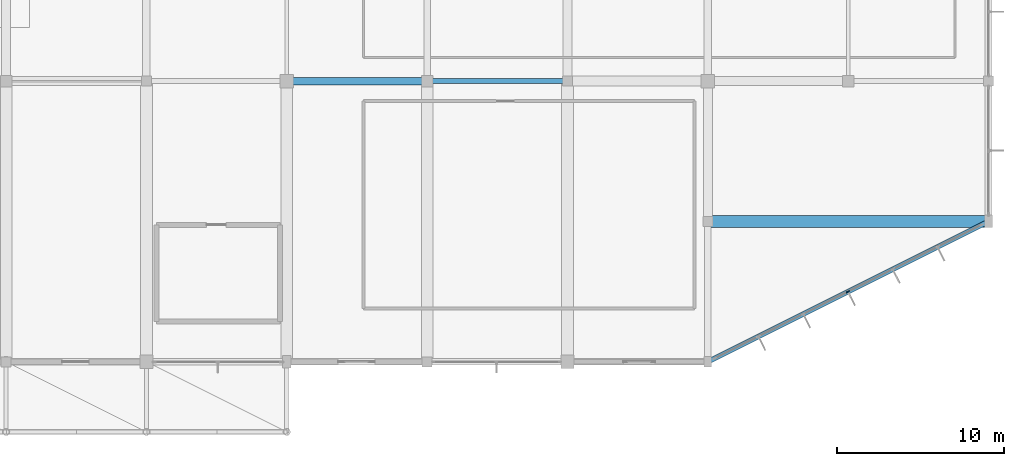
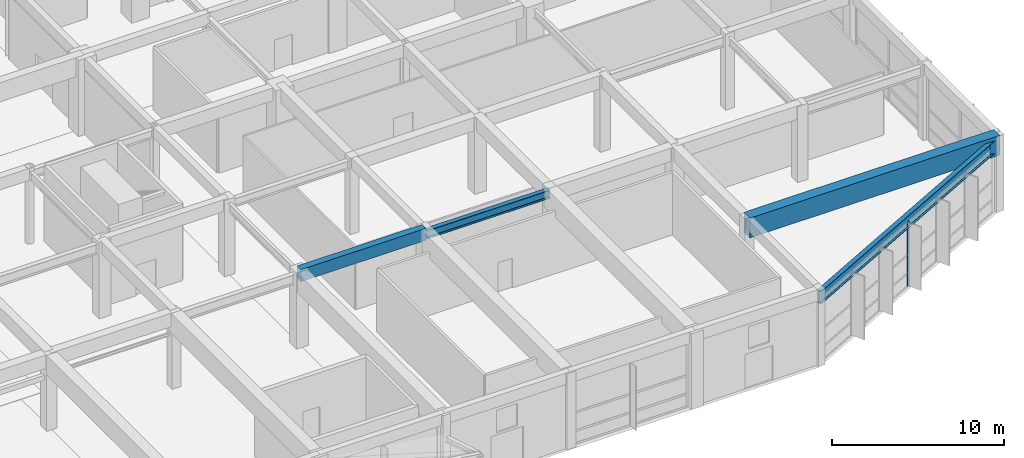
# One storey, part 27 of 62: 4 beams, 1 member, 1 element without a shape of its own.
"""IFC4 building model written with IfcOpenShell, lengths in metres."""

from ifc_helpers import new_model, si_unit, direction, frame, origin, origin_2d, place, context, subcontext, project, spatial, rectangle, i_section, extrude, material, material_profile, profile_set, type_object, element, aggregate, save


model = new_model("IFC4")

# Units and contexts
model_context = context("Model", 3, precision=1e-05, world=origin(), true_north=direction((0.0, 1.0)))
body_context = subcontext(model_context, "Body", "Model", "MODEL_VIEW")
ifc_project = project(units=[si_unit("LENGTHUNIT", "METRE"), si_unit("AREAUNIT", "SQUARE_METRE"), si_unit("VOLUMEUNIT", "CUBIC_METRE"), si_unit("PLANEANGLEUNIT", "RADIAN"), si_unit("MASSUNIT", "GRAM", prefix="KILO")], contexts=[model_context])

# Site, building, storey
site_placement = place(None, origin())
site = spatial("IfcSite", under=ifc_project, at=site_placement, CompositionType="ELEMENT")
building_placement = place(site_placement, origin())
building = spatial("IfcBuilding", under=site, at=building_placement, Name="Xuanlan Plaza Opera House", CompositionType="ELEMENT")
storey_placement = place(building_placement, origin())
storey = spatial("IfcBuildingStorey", under=building, at=storey_placement, Name="L00", CompositionType="ELEMENT", Elevation=0.0)

# Curtain wall, member
ifc_material_1 = material(Name="Anodised Aluminium 6063-T6 and Low-E Glass", Category="aluminium")
curtain_wall_type = type_object("IfcCurtainWallType", Name="ENV-CW-CW-03", PredefinedType="USERDEFINED", material=ifc_material_1)
curtain_wall_placement = place(storey_placement, origin())
curtain_wall = element("IfcCurtainWall", 1, at=curtain_wall_placement, inside=storey, type_object=curtain_wall_type, Name="Unitised Curtain Wall L00-017", ObjectType="UNITISED CURTAIN WALL", PredefinedType="USERDEFINED")
ifc_material_2 = material(Name="Anodised Aluminium 6063-T6", Category="aluminium")
ifc_material_profile_1 = material_profile(ifc_material_2, rectangle(XDim=0.080078125, YDim=0.219970703125, at=origin_2d()), Name="ALU-M 80x220")
ifc_profile_set_1 = profile_set([ifc_material_profile_1], Name="Anodised Aluminium 6063-T6")
member_type = type_object("IfcMemberType", Name="ENV-CWM-04", PredefinedType="MULLION", material=ifc_profile_set_1)
member_placement = place(storey_placement, frame((159.58740234375, 4.19384765625, 0.0), z_axis=(0.0, 0.0, 1.0), x_axis=(-0.447213595499, 0.894427191001, 0.0)))
member = element("IfcMember", 2, at=member_placement, type_object=member_type, Name="CW-03 mullion 4", PredefinedType="MULLION", context=body_context, shape_type="SweptSolid", body=[
    extrude(rectangle(XDim=0.080078125, YDim=0.219970703125, at=origin_2d()), origin(), (0.0, 0.0, 1.0), 4.580078125),
])
aggregate(curtain_wall, [member])

# Beams
ifc_material_3 = material(Name="Concrete C40", Category="concrete")
ifc_material_profile_2 = material_profile(ifc_material_3, rectangle(XDim=0.449951171875, YDim=0.85009765625, at=origin_2d()), Name="RC-BM 450x850")
ifc_profile_set_2 = profile_set([ifc_material_profile_2], Name="Concrete C40")
beam_type_1 = type_object("IfcBeamType", Name="STR-BM-B-04", PredefinedType="BEAM", material=ifc_profile_set_2)
beam_1_placement = place(storey_placement, frame((126.0, 16.800048828125, 4.97509765625), z_axis=(1.0, 0.0, 0.0), x_axis=(0.0, 1.0, 0.0)))
element("IfcBeam", 3, at=beam_1_placement, inside=storey, type_object=beam_type_1, Name="Grid Beam X L00 16-17/C", PredefinedType="BEAM", context=body_context, shape_type="SweptSolid", body=[
    extrude(rectangle(XDim=0.449951171875, YDim=0.85009765625, at=origin_2d()), origin(), (0.0, 0.0, 1.0), 8.39990234375),
])
ifc_material_4 = material(Name="Concrete C50", Category="concrete")
ifc_material_profile_3 = material_profile(ifc_material_4, rectangle(XDim=0.699951171875, YDim=1.39990234375, at=origin_2d()), Name="RC-LG 700x1400")
ifc_profile_set_3 = profile_set([ifc_material_profile_3], Name="Concrete C50")
beam_type_2 = type_object("IfcBeamType", Name="STR-BM-LG-01", PredefinedType="BEAM", material=ifc_profile_set_3)
beam_2_placement = place(storey_placement, frame((151.199951171875, 8.39990234375, 4.699951171875), z_axis=(1.0, 0.0, 0.0), x_axis=(0.0, 1.0, 0.0)))
element("IfcBeam", 4, at=beam_2_placement, inside=storey, type_object=beam_type_2, Name="Grid Beam X L00 19-21/B", PredefinedType="BEAM", context=body_context, shape_type="SweptSolid", body=[
    extrude(rectangle(XDim=0.699951171875, YDim=1.39990234375, at=origin_2d()), origin(), (0.0, 0.0, 1.0), 16.800048828125),
])
ifc_material_5 = material(Name="Steel Q355B", Category="steel")
ifc_material_profile_4 = material_profile(ifc_material_5, i_section(OverallWidth=0.300048828125, OverallDepth=0.587890625, WebThickness=0.011962890625, FlangeThickness=0.02001953125, FilletRadius=0.02392578125, at=origin_2d()), Name="HM 588x300x12x20")
ifc_profile_set_4 = profile_set([ifc_material_profile_4], Name="Steel Q355B")
beam_type_3 = type_object("IfcBeamType", Name="STR-BM-SB-06", PredefinedType="BEAM", material=ifc_profile_set_4)
beam_3_placement = place(storey_placement, frame((134.39990234375, 16.800048828125, 4.841064453125), z_axis=(1.0, 0.0, 0.0), x_axis=(0.0, 1.0, 0.0)))
element("IfcBeam", 5, at=beam_3_placement, inside=storey, type_object=beam_type_3, Name="Grid Beam X L00 17-18/C", PredefinedType="BEAM", context=body_context, shape_type="SweptSolid", body=[
    extrude(i_section(OverallWidth=0.300048828125, OverallDepth=0.587890625, WebThickness=0.011962890625, FlangeThickness=0.02001953125, FilletRadius=0.02392578125, at=origin_2d()), origin(), (0.0, 0.0, 1.0), 8.400146484375),
])
ifc_material_6 = material(Name="Steel Q390B", Category="steel")
ifc_material_profile_5 = material_profile(ifc_material_6, i_section(OverallWidth=0.300048828125, OverallDepth=0.89990234375, WebThickness=0.01611328125, FlangeThickness=0.028076171875, FilletRadius=0.028076171875, at=origin_2d()), Name="HN 900x300x16x28")
ifc_profile_set_5 = profile_set([ifc_material_profile_5], Name="Steel Q390B")
beam_type_4 = type_object("IfcBeamType", Name="STR-BM-SP-04", PredefinedType="SPANDREL", material=ifc_profile_set_5)
beam_4_placement = place(storey_placement, frame((168.0, 8.39990234375, 4.68505859375), z_axis=(-0.89442979058, -0.447208396302, 0.0), x_axis=(0.447208396302, -0.89442979058, 0.0)))
element("IfcBeam", 6, at=beam_4_placement, inside=storey, type_object=beam_type_4, Name="Faceted Edge Spandrel L00 CH17", PredefinedType="SPANDREL", context=body_context, shape_type="SweptSolid", body=[
    extrude(i_section(OverallWidth=0.300048828125, OverallDepth=0.89990234375, WebThickness=0.01611328125, FlangeThickness=0.028076171875, FilletRadius=0.028076171875, at=origin_2d()), origin(), (0.0, 0.0, 1.0), 18.782958984375),
])

save(model, "model.ifc")
